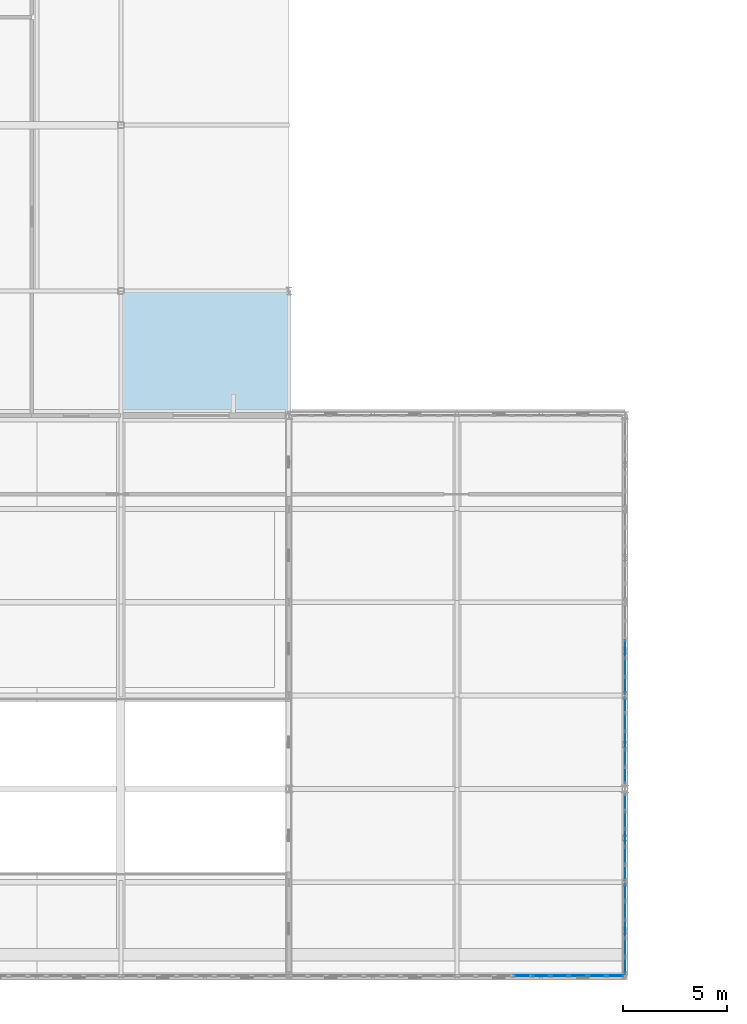
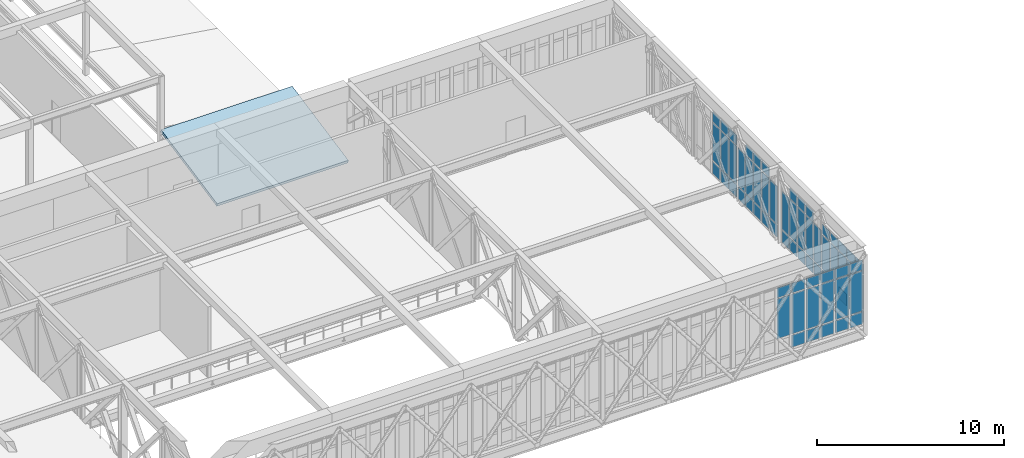
# One storey, part 44 of 70: 67 plates, 1 slab, 5 elements without a shape of their own.
"""IFC4 building model written with IfcOpenShell, lengths in metres."""

from ifc_helpers import new_model, si_unit, direction, frame, origin, origin_2d, place, context, subcontext, project, spatial, polyline, rectangle, outline, extrude, material, layer, layer_set, type_object, element, aggregate, save


model = new_model("IFC4")

# Units and contexts
model_context = context("Model", 3, precision=1e-05, world=origin(), true_north=direction((0.0, 1.0)))
body_context = subcontext(model_context, "Body", "Model", "MODEL_VIEW")
ifc_project = project(units=[si_unit("LENGTHUNIT", "METRE"), si_unit("AREAUNIT", "SQUARE_METRE"), si_unit("VOLUMEUNIT", "CUBIC_METRE"), si_unit("PLANEANGLEUNIT", "RADIAN"), si_unit("MASSUNIT", "GRAM", prefix="KILO")], contexts=[model_context])

# Site, building, storey
site_placement = place(None, origin())
site = spatial("IfcSite", under=ifc_project, at=site_placement, CompositionType="ELEMENT")
building_placement = place(site_placement, origin())
building = spatial("IfcBuilding", under=site, at=building_placement, Name="Tarnveldt Square Police Headquarters", CompositionType="ELEMENT")
storey_placement = place(building_placement, frame((0.0, 0.0, 19.800048828125)))
storey = spatial("IfcBuildingStorey", under=building, at=storey_placement, Name="L04", CompositionType="ELEMENT", Elevation=19.800048828125)

# Curtain wall, plates
ifc_material_1 = material(Name="UL 752 Level III laminated ballistic vision glass", Category="glass")
curtain_wall_type_1 = type_object("IfcCurtainWallType", Name="CW-BL-810x433", PredefinedType="USERDEFINED", material=ifc_material_1)
curtain_wall_1_placement = place(storey_placement, origin())
curtain_wall_1 = element("IfcCurtainWall", 1, at=curtain_wall_1_placement, inside=storey, type_object=curtain_wall_type_1, Name="L04 Curtain Wall CW-L04-046", ObjectType="BALLISTIC CURTAIN WALL", PredefinedType="USERDEFINED")
ifc_layer_1 = layer(ifc_material_1, 0.0380859375)
ifc_layer_set_1 = layer_set([ifc_layer_1], Name="UL 752 Level III laminated ballistic vision glass")
plate_type_1 = type_object("IfcPlateType", Name="CWP-BAL-38", PredefinedType="CURTAIN_PANEL", material=ifc_layer_set_1)
plate_1_placement = place(storey_placement, frame((59.85009765625, 7.0, 0.9375), z_axis=(0.0, 0.0, 1.0), x_axis=(1.0, 0.0, 0.0)))
plate_1 = element("IfcPlate", 2, at=plate_1_placement, type_object=plate_type_1, Name="CW-BL17 panel 4.2", PredefinedType="CURTAIN_PANEL", context=body_context, shape_type="SweptSolid", body=[
    extrude(rectangle(XDim=0.81494140625, YDim=0.0380859375, at=origin_2d()), origin(), (0.0, 0.0, 1.0), 2.6015625),
])
plate_2_placement = place(storey_placement, frame((59.85009765625, 7.0, 3.61376953125), z_axis=(0.0, 0.0, 1.0), x_axis=(1.0, 0.0, 0.0)))
plate_2 = element("IfcPlate", 3, at=plate_2_placement, type_object=plate_type_1, Name="CW-BL17 panel 4.3", PredefinedType="CURTAIN_PANEL", context=body_context, shape_type="SweptSolid", body=[
    extrude(rectangle(XDim=0.81494140625, YDim=0.0380859375, at=origin_2d()), origin(), (0.0, 0.0, 1.0), 0.637451171875),
])
plate_3_placement = place(storey_placement, frame((60.75, 7.0, 0.074951171875), z_axis=(0.0, 0.0, 1.0), x_axis=(1.0, 0.0, 0.0)))
plate_3 = element("IfcPlate", 4, at=plate_3_placement, type_object=plate_type_1, Name="CW-BL17 panel 5.1", PredefinedType="CURTAIN_PANEL", context=body_context, shape_type="SweptSolid", body=[
    extrude(rectangle(XDim=0.81494140625, YDim=0.0380859375, at=origin_2d()), origin(), (0.0, 0.0, 1.0), 0.78759765625),
])
plate_4_placement = place(storey_placement, frame((60.75, 7.0, 0.9375), z_axis=(0.0, 0.0, 1.0), x_axis=(1.0, 0.0, 0.0)))
plate_4 = element("IfcPlate", 5, at=plate_4_placement, type_object=plate_type_1, Name="CW-BL17 panel 5.2", PredefinedType="CURTAIN_PANEL", context=body_context, shape_type="SweptSolid", body=[
    extrude(rectangle(XDim=0.81494140625, YDim=0.0380859375, at=origin_2d()), origin(), (0.0, 0.0, 1.0), 2.6015625),
])
plate_5_placement = place(storey_placement, frame((60.75, 7.0, 3.61376953125), z_axis=(0.0, 0.0, 1.0), x_axis=(1.0, 0.0, 0.0)))
plate_5 = element("IfcPlate", 6, at=plate_5_placement, type_object=plate_type_1, Name="CW-BL17 panel 5.3", PredefinedType="CURTAIN_PANEL", context=body_context, shape_type="SweptSolid", body=[
    extrude(rectangle(XDim=0.81494140625, YDim=0.0380859375, at=origin_2d()), origin(), (0.0, 0.0, 1.0), 0.637451171875),
])
plate_6_placement = place(storey_placement, frame((61.64990234375, 7.0, 0.074951171875), z_axis=(0.0, 0.0, 1.0), x_axis=(1.0, 0.0, 0.0)))
plate_6 = element("IfcPlate", 7, at=plate_6_placement, type_object=plate_type_1, Name="CW-BL17 panel 6.1", PredefinedType="CURTAIN_PANEL", context=body_context, shape_type="SweptSolid", body=[
    extrude(rectangle(XDim=0.81494140625, YDim=0.0380859375, at=origin_2d()), origin(), (0.0, 0.0, 1.0), 0.78759765625),
])
plate_7_placement = place(storey_placement, frame((61.64990234375, 7.0, 0.9375), z_axis=(0.0, 0.0, 1.0), x_axis=(1.0, 0.0, 0.0)))
plate_7 = element("IfcPlate", 8, at=plate_7_placement, type_object=plate_type_1, Name="CW-BL17 panel 6.2", PredefinedType="CURTAIN_PANEL", context=body_context, shape_type="SweptSolid", body=[
    extrude(rectangle(XDim=0.81494140625, YDim=0.0380859375, at=origin_2d()), origin(), (0.0, 0.0, 1.0), 2.6015625),
])
plate_8_placement = place(storey_placement, frame((61.64990234375, 7.0, 3.61376953125), z_axis=(0.0, 0.0, 1.0), x_axis=(1.0, 0.0, 0.0)))
plate_8 = element("IfcPlate", 9, at=plate_8_placement, type_object=plate_type_1, Name="CW-BL17 panel 6.3", PredefinedType="CURTAIN_PANEL", context=body_context, shape_type="SweptSolid", body=[
    extrude(rectangle(XDim=0.81494140625, YDim=0.0380859375, at=origin_2d()), origin(), (0.0, 0.0, 1.0), 0.637451171875),
])
plate_9_placement = place(storey_placement, frame((62.550048828125, 7.0, 0.074951171875), z_axis=(0.0, 0.0, 1.0), x_axis=(1.0, 0.0, 0.0)))
plate_9 = element("IfcPlate", 10, at=plate_9_placement, type_object=plate_type_1, Name="CW-BL17 panel 7.1", PredefinedType="CURTAIN_PANEL", context=body_context, shape_type="SweptSolid", body=[
    extrude(rectangle(XDim=0.81494140625, YDim=0.0380859375, at=origin_2d()), origin(), (0.0, 0.0, 1.0), 0.78759765625),
])
plate_10_placement = place(storey_placement, frame((62.550048828125, 7.0, 0.9375), z_axis=(0.0, 0.0, 1.0), x_axis=(1.0, 0.0, 0.0)))
plate_10 = element("IfcPlate", 11, at=plate_10_placement, type_object=plate_type_1, Name="CW-BL17 panel 7.2", PredefinedType="CURTAIN_PANEL", context=body_context, shape_type="SweptSolid", body=[
    extrude(rectangle(XDim=0.81494140625, YDim=0.0380859375, at=origin_2d()), origin(), (0.0, 0.0, 1.0), 2.6015625),
])
plate_11_placement = place(storey_placement, frame((62.550048828125, 7.0, 3.61376953125), z_axis=(0.0, 0.0, 1.0), x_axis=(1.0, 0.0, 0.0)))
plate_11 = element("IfcPlate", 12, at=plate_11_placement, type_object=plate_type_1, Name="CW-BL17 panel 7.3", PredefinedType="CURTAIN_PANEL", context=body_context, shape_type="SweptSolid", body=[
    extrude(rectangle(XDim=0.81494140625, YDim=0.0380859375, at=origin_2d()), origin(), (0.0, 0.0, 1.0), 0.637451171875),
])
plate_12_placement = place(storey_placement, frame((63.449951171875, 7.0, 0.074951171875), z_axis=(0.0, 0.0, 1.0), x_axis=(1.0, 0.0, 0.0)))
plate_12 = element("IfcPlate", 13, at=plate_12_placement, type_object=plate_type_1, Name="CW-BL17 panel 8.1", PredefinedType="CURTAIN_PANEL", context=body_context, shape_type="SweptSolid", body=[
    extrude(rectangle(XDim=0.81494140625, YDim=0.0380859375, at=origin_2d()), origin(), (0.0, 0.0, 1.0), 0.78759765625),
])
plate_13_placement = place(storey_placement, frame((63.449951171875, 7.0, 0.9375), z_axis=(0.0, 0.0, 1.0), x_axis=(1.0, 0.0, 0.0)))
plate_13 = element("IfcPlate", 14, at=plate_13_placement, type_object=plate_type_1, Name="CW-BL17 panel 8.2", PredefinedType="CURTAIN_PANEL", context=body_context, shape_type="SweptSolid", body=[
    extrude(rectangle(XDim=0.81494140625, YDim=0.0380859375, at=origin_2d()), origin(), (0.0, 0.0, 1.0), 2.6015625),
])
plate_14_placement = place(storey_placement, frame((63.449951171875, 7.0, 3.61376953125), z_axis=(0.0, 0.0, 1.0), x_axis=(1.0, 0.0, 0.0)))
plate_14 = element("IfcPlate", 15, at=plate_14_placement, type_object=plate_type_1, Name="CW-BL17 panel 8.3", PredefinedType="CURTAIN_PANEL", context=body_context, shape_type="SweptSolid", body=[
    extrude(rectangle(XDim=0.81494140625, YDim=0.0380859375, at=origin_2d()), origin(), (0.0, 0.0, 1.0), 0.637451171875),
])
plate_15_placement = place(storey_placement, frame((64.328857421875, 7.0, 0.074951171875), z_axis=(0.0, 0.0, 1.0), x_axis=(1.0, 0.0, 0.0)))
plate_15 = element("IfcPlate", 16, at=plate_15_placement, type_object=plate_type_1, Name="CW-BL17 panel 9.1", PredefinedType="CURTAIN_PANEL", context=body_context, shape_type="SweptSolid", body=[
    extrude(rectangle(XDim=0.7724609375, YDim=0.0380859375, at=origin_2d()), origin(), (0.0, 0.0, 1.0), 0.78759765625),
])
plate_16_placement = place(storey_placement, frame((64.328857421875, 7.0, 0.9375), z_axis=(0.0, 0.0, 1.0), x_axis=(1.0, 0.0, 0.0)))
plate_16 = element("IfcPlate", 17, at=plate_16_placement, type_object=plate_type_1, Name="CW-BL17 panel 9.2", PredefinedType="CURTAIN_PANEL", context=body_context, shape_type="SweptSolid", body=[
    extrude(rectangle(XDim=0.7724609375, YDim=0.0380859375, at=origin_2d()), origin(), (0.0, 0.0, 1.0), 2.6015625),
])
plate_17_placement = place(storey_placement, frame((64.328857421875, 7.0, 3.61376953125), z_axis=(0.0, 0.0, 1.0), x_axis=(1.0, 0.0, 0.0)))
plate_17 = element("IfcPlate", 18, at=plate_17_placement, type_object=plate_type_1, Name="CW-BL17 panel 9.3", PredefinedType="CURTAIN_PANEL", context=body_context, shape_type="SweptSolid", body=[
    extrude(rectangle(XDim=0.7724609375, YDim=0.0380859375, at=origin_2d()), origin(), (0.0, 0.0, 1.0), 0.637451171875),
])
aggregate(curtain_wall_1, [plate_1, plate_2, plate_3, plate_4, plate_5, plate_6, plate_7, plate_8, plate_9, plate_10, plate_11, plate_12, plate_13, plate_14, plate_15, plate_16, plate_17])

ifc_material_2 = material(Name="Triple-glazed low-e laminated vision glass", Category="glass")
curtain_wall_type_2 = type_object("IfcCurtainWallType", Name="CW-LT-450x395", PredefinedType="USERDEFINED", material=ifc_material_2)
curtain_wall_2_placement = place(storey_placement, origin())
curtain_wall_2 = element("IfcCurtainWall", 19, at=curtain_wall_2_placement, inside=storey, type_object=curtain_wall_type_2, Name="L04 Curtain Wall CW-L04-056", ObjectType="GLAZED CURTAIN WALL", PredefinedType="USERDEFINED")
ifc_layer_2 = layer(ifc_material_2, 0.028076171875)
ifc_layer_set_2 = layer_set([ifc_layer_2], Name="Triple-glazed low-e laminated vision glass")
plate_type_2 = type_object("IfcPlateType", Name="CWP-VIS-28", PredefinedType="CURTAIN_PANEL", material=ifc_layer_set_2)
plate_18_placement = place(storey_placement, frame((64.800048828125, 7.46875, 0.074951171875), z_axis=(0.0, 0.0, 1.0), x_axis=(0.0, 1.0, 0.0)))
plate_18 = element("IfcPlate", 20, at=plate_18_placement, type_object=plate_type_2, Name="CW-LT20 panel 1.1", PredefinedType="CURTAIN_PANEL", context=body_context, shape_type="SweptSolid", body=[
    extrude(rectangle(XDim=0.78759765625, YDim=0.028076171875, at=origin_2d()), origin(), (0.0, 0.0, 1.0), 0.78759765625),
])
plate_19_placement = place(storey_placement, frame((64.800048828125, 7.46875, 0.9375), z_axis=(0.0, 0.0, 1.0), x_axis=(0.0, 1.0, 0.0)))
plate_19 = element("IfcPlate", 21, at=plate_19_placement, type_object=plate_type_2, Name="CW-LT20 panel 1.2", PredefinedType="CURTAIN_PANEL", context=body_context, shape_type="SweptSolid", body=[
    extrude(rectangle(XDim=0.78759765625, YDim=0.028076171875, at=origin_2d()), origin(), (0.0, 0.0, 1.0), 2.22705078125),
])
plate_20_placement = place(storey_placement, frame((64.800048828125, 7.46875, 3.2392578125), z_axis=(0.0, 0.0, 1.0), x_axis=(0.0, 1.0, 0.0)))
plate_20 = element("IfcPlate", 22, at=plate_20_placement, type_object=plate_type_2, Name="CW-LT20 panel 1.3", PredefinedType="CURTAIN_PANEL", context=body_context, shape_type="SweptSolid", body=[
    extrude(rectangle(XDim=0.78759765625, YDim=0.028076171875, at=origin_2d()), origin(), (0.0, 0.0, 1.0), 0.637451171875),
])
plate_21_placement = place(storey_placement, frame((64.800048828125, 8.35009765625, 0.074951171875), z_axis=(0.0, 0.0, 1.0), x_axis=(0.0, 1.0, 0.0)))
plate_21 = element("IfcPlate", 23, at=plate_21_placement, type_object=plate_type_2, Name="CW-LT20 panel 2.1", PredefinedType="CURTAIN_PANEL", context=body_context, shape_type="SweptSolid", body=[
    extrude(rectangle(XDim=0.824951171875, YDim=0.028076171875, at=origin_2d()), origin(), (0.0, 0.0, 1.0), 0.78759765625),
])
plate_22_placement = place(storey_placement, frame((64.800048828125, 8.35009765625, 0.9375), z_axis=(0.0, 0.0, 1.0), x_axis=(0.0, 1.0, 0.0)))
plate_22 = element("IfcPlate", 24, at=plate_22_placement, type_object=plate_type_2, Name="CW-LT20 panel 2.2", PredefinedType="CURTAIN_PANEL", context=body_context, shape_type="SweptSolid", body=[
    extrude(rectangle(XDim=0.824951171875, YDim=0.028076171875, at=origin_2d()), origin(), (0.0, 0.0, 1.0), 2.22705078125),
])
plate_23_placement = place(storey_placement, frame((64.800048828125, 8.35009765625, 3.2392578125), z_axis=(0.0, 0.0, 1.0), x_axis=(0.0, 1.0, 0.0)))
plate_23 = element("IfcPlate", 25, at=plate_23_placement, type_object=plate_type_2, Name="CW-LT20 panel 2.3", PredefinedType="CURTAIN_PANEL", context=body_context, shape_type="SweptSolid", body=[
    extrude(rectangle(XDim=0.824951171875, YDim=0.028076171875, at=origin_2d()), origin(), (0.0, 0.0, 1.0), 0.637451171875),
])
plate_24_placement = place(storey_placement, frame((64.800048828125, 9.25, 0.074951171875), z_axis=(0.0, 0.0, 1.0), x_axis=(0.0, 1.0, 0.0)))
plate_24 = element("IfcPlate", 26, at=plate_24_placement, type_object=plate_type_2, Name="CW-LT20 panel 3.1", PredefinedType="CURTAIN_PANEL", context=body_context, shape_type="SweptSolid", body=[
    extrude(rectangle(XDim=0.824951171875, YDim=0.028076171875, at=origin_2d()), origin(), (0.0, 0.0, 1.0), 0.78759765625),
])
plate_25_placement = place(storey_placement, frame((64.800048828125, 9.25, 0.9375), z_axis=(0.0, 0.0, 1.0), x_axis=(0.0, 1.0, 0.0)))
plate_25 = element("IfcPlate", 27, at=plate_25_placement, type_object=plate_type_2, Name="CW-LT20 panel 3.2", PredefinedType="CURTAIN_PANEL", context=body_context, shape_type="SweptSolid", body=[
    extrude(rectangle(XDim=0.824951171875, YDim=0.028076171875, at=origin_2d()), origin(), (0.0, 0.0, 1.0), 2.22705078125),
])
plate_26_placement = place(storey_placement, frame((64.800048828125, 9.25, 3.2392578125), z_axis=(0.0, 0.0, 1.0), x_axis=(0.0, 1.0, 0.0)))
plate_26 = element("IfcPlate", 28, at=plate_26_placement, type_object=plate_type_2, Name="CW-LT20 panel 3.3", PredefinedType="CURTAIN_PANEL", context=body_context, shape_type="SweptSolid", body=[
    extrude(rectangle(XDim=0.824951171875, YDim=0.028076171875, at=origin_2d()), origin(), (0.0, 0.0, 1.0), 0.637451171875),
])
plate_27_placement = place(storey_placement, frame((64.800048828125, 10.14990234375, 0.074951171875), z_axis=(0.0, 0.0, 1.0), x_axis=(0.0, 1.0, 0.0)))
plate_27 = element("IfcPlate", 29, at=plate_27_placement, type_object=plate_type_2, Name="CW-LT20 panel 4.1", PredefinedType="CURTAIN_PANEL", context=body_context, shape_type="SweptSolid", body=[
    extrude(rectangle(XDim=0.824951171875, YDim=0.028076171875, at=origin_2d()), origin(), (0.0, 0.0, 1.0), 0.78759765625),
])
plate_28_placement = place(storey_placement, frame((64.800048828125, 10.14990234375, 0.9375), z_axis=(0.0, 0.0, 1.0), x_axis=(0.0, 1.0, 0.0)))
plate_28 = element("IfcPlate", 30, at=plate_28_placement, type_object=plate_type_2, Name="CW-LT20 panel 4.2", PredefinedType="CURTAIN_PANEL", context=body_context, shape_type="SweptSolid", body=[
    extrude(rectangle(XDim=0.824951171875, YDim=0.028076171875, at=origin_2d()), origin(), (0.0, 0.0, 1.0), 2.22705078125),
])
plate_29_placement = place(storey_placement, frame((64.800048828125, 10.14990234375, 3.2392578125), z_axis=(0.0, 0.0, 1.0), x_axis=(0.0, 1.0, 0.0)))
plate_29 = element("IfcPlate", 31, at=plate_29_placement, type_object=plate_type_2, Name="CW-LT20 panel 4.3", PredefinedType="CURTAIN_PANEL", context=body_context, shape_type="SweptSolid", body=[
    extrude(rectangle(XDim=0.824951171875, YDim=0.028076171875, at=origin_2d()), origin(), (0.0, 0.0, 1.0), 0.637451171875),
])
plate_30_placement = place(storey_placement, frame((64.800048828125, 11.03125, 0.074951171875), z_axis=(0.0, 0.0, 1.0), x_axis=(0.0, 1.0, 0.0)))
plate_30 = element("IfcPlate", 32, at=plate_30_placement, type_object=plate_type_2, Name="CW-LT20 panel 5.1", PredefinedType="CURTAIN_PANEL", context=body_context, shape_type="SweptSolid", body=[
    extrude(rectangle(XDim=0.78759765625, YDim=0.028076171875, at=origin_2d()), origin(), (0.0, 0.0, 1.0), 0.78759765625),
])
plate_31_placement = place(storey_placement, frame((64.800048828125, 11.03125, 0.9375), z_axis=(0.0, 0.0, 1.0), x_axis=(0.0, 1.0, 0.0)))
plate_31 = element("IfcPlate", 33, at=plate_31_placement, type_object=plate_type_2, Name="CW-LT20 panel 5.2", PredefinedType="CURTAIN_PANEL", context=body_context, shape_type="SweptSolid", body=[
    extrude(rectangle(XDim=0.78759765625, YDim=0.028076171875, at=origin_2d()), origin(), (0.0, 0.0, 1.0), 2.22705078125),
])
plate_32_placement = place(storey_placement, frame((64.800048828125, 11.03125, 3.2392578125), z_axis=(0.0, 0.0, 1.0), x_axis=(0.0, 1.0, 0.0)))
plate_32 = element("IfcPlate", 34, at=plate_32_placement, type_object=plate_type_2, Name="CW-LT20 panel 5.3", PredefinedType="CURTAIN_PANEL", context=body_context, shape_type="SweptSolid", body=[
    extrude(rectangle(XDim=0.78759765625, YDim=0.028076171875, at=origin_2d()), origin(), (0.0, 0.0, 1.0), 0.637451171875),
])
aggregate(curtain_wall_2, [plate_18, plate_19, plate_20, plate_21, plate_22, plate_23, plate_24, plate_25, plate_26, plate_27, plate_28, plate_29, plate_30, plate_31, plate_32])

curtain_wall_type_3 = type_object("IfcCurtainWallType", Name="CW-LT-430x417", PredefinedType="USERDEFINED", material=ifc_material_2)
curtain_wall_3_placement = place(storey_placement, origin())
curtain_wall_3 = element("IfcCurtainWall", 35, at=curtain_wall_3_placement, inside=storey, type_object=curtain_wall_type_3, Name="L04 Curtain Wall CW-L04-057", ObjectType="GLAZED CURTAIN WALL", PredefinedType="USERDEFINED")
plate_33_placement = place(storey_placement, frame((64.800048828125, 11.948486328125, 0.074951171875), z_axis=(0.0, 0.0, 1.0), x_axis=(0.0, 1.0, 0.0)))
plate_33 = element("IfcPlate", 36, at=plate_33_placement, type_object=plate_type_2, Name="CW-LT21 panel 1.1", PredefinedType="CURTAIN_PANEL", context=body_context, shape_type="SweptSolid", body=[
    extrude(rectangle(XDim=0.7470703125, YDim=0.028076171875, at=origin_2d()), origin(), (0.0, 0.0, 1.0), 0.78759765625),
])
plate_34_placement = place(storey_placement, frame((64.800048828125, 11.948486328125, 0.9375), z_axis=(0.0, 0.0, 1.0), x_axis=(0.0, 1.0, 0.0)))
plate_34 = element("IfcPlate", 37, at=plate_34_placement, type_object=plate_type_2, Name="CW-LT21 panel 1.2", PredefinedType="CURTAIN_PANEL", context=body_context, shape_type="SweptSolid", body=[
    extrude(rectangle(XDim=0.7470703125, YDim=0.028076171875, at=origin_2d()), origin(), (0.0, 0.0, 1.0), 2.447998046875),
])
plate_35_placement = place(storey_placement, frame((64.800048828125, 12.789306640625, 0.074951171875), z_axis=(0.0, 0.0, 1.0), x_axis=(0.0, 1.0, 0.0)))
plate_35 = element("IfcPlate", 38, at=plate_35_placement, type_object=plate_type_2, Name="CW-LT21 panel 2.1", PredefinedType="CURTAIN_PANEL", context=body_context, shape_type="SweptSolid", body=[
    extrude(rectangle(XDim=0.78466796875, YDim=0.028076171875, at=origin_2d()), origin(), (0.0, 0.0, 1.0), 0.78759765625),
])
plate_36_placement = place(storey_placement, frame((64.800048828125, 12.789306640625, 0.9375), z_axis=(0.0, 0.0, 1.0), x_axis=(0.0, 1.0, 0.0)))
plate_36 = element("IfcPlate", 39, at=plate_36_placement, type_object=plate_type_2, Name="CW-LT21 panel 2.2", PredefinedType="CURTAIN_PANEL", context=body_context, shape_type="SweptSolid", body=[
    extrude(rectangle(XDim=0.78466796875, YDim=0.028076171875, at=origin_2d()), origin(), (0.0, 0.0, 1.0), 2.447998046875),
])
plate_37_placement = place(storey_placement, frame((64.800048828125, 12.789306640625, 3.46044921875), z_axis=(0.0, 0.0, 1.0), x_axis=(0.0, 1.0, 0.0)))
plate_37 = element("IfcPlate", 40, at=plate_37_placement, type_object=plate_type_2, Name="CW-LT21 panel 2.3", PredefinedType="CURTAIN_PANEL", context=body_context, shape_type="SweptSolid", body=[
    extrude(rectangle(XDim=0.78466796875, YDim=0.028076171875, at=origin_2d()), origin(), (0.0, 0.0, 1.0), 0.637451171875),
])
plate_38_placement = place(storey_placement, frame((64.800048828125, 13.64892578125, 0.074951171875), z_axis=(0.0, 0.0, 1.0), x_axis=(0.0, 1.0, 0.0)))
plate_38 = element("IfcPlate", 41, at=plate_38_placement, type_object=plate_type_2, Name="CW-LT21 panel 3.1", PredefinedType="CURTAIN_PANEL", context=body_context, shape_type="SweptSolid", body=[
    extrude(rectangle(XDim=0.78466796875, YDim=0.028076171875, at=origin_2d()), origin(), (0.0, 0.0, 1.0), 0.78759765625),
])
plate_39_placement = place(storey_placement, frame((64.800048828125, 13.64892578125, 0.9375), z_axis=(0.0, 0.0, 1.0), x_axis=(0.0, 1.0, 0.0)))
plate_39 = element("IfcPlate", 42, at=plate_39_placement, type_object=plate_type_2, Name="CW-LT21 panel 3.2", PredefinedType="CURTAIN_PANEL", context=body_context, shape_type="SweptSolid", body=[
    extrude(rectangle(XDim=0.78466796875, YDim=0.028076171875, at=origin_2d()), origin(), (0.0, 0.0, 1.0), 2.447998046875),
])
plate_40_placement = place(storey_placement, frame((64.800048828125, 13.64892578125, 3.46044921875), z_axis=(0.0, 0.0, 1.0), x_axis=(0.0, 1.0, 0.0)))
plate_40 = element("IfcPlate", 43, at=plate_40_placement, type_object=plate_type_2, Name="CW-LT21 panel 3.3", PredefinedType="CURTAIN_PANEL", context=body_context, shape_type="SweptSolid", body=[
    extrude(rectangle(XDim=0.78466796875, YDim=0.028076171875, at=origin_2d()), origin(), (0.0, 0.0, 1.0), 0.637451171875),
])
plate_41_placement = place(storey_placement, frame((64.800048828125, 14.508544921875, 0.074951171875), z_axis=(0.0, 0.0, 1.0), x_axis=(0.0, 1.0, 0.0)))
plate_41 = element("IfcPlate", 44, at=plate_41_placement, type_object=plate_type_2, Name="CW-LT21 panel 4.1", PredefinedType="CURTAIN_PANEL", context=body_context, shape_type="SweptSolid", body=[
    extrude(rectangle(XDim=0.78466796875, YDim=0.028076171875, at=origin_2d()), origin(), (0.0, 0.0, 1.0), 0.78759765625),
])
plate_42_placement = place(storey_placement, frame((64.800048828125, 14.508544921875, 0.9375), z_axis=(0.0, 0.0, 1.0), x_axis=(0.0, 1.0, 0.0)))
plate_42 = element("IfcPlate", 45, at=plate_42_placement, type_object=plate_type_2, Name="CW-LT21 panel 4.2", PredefinedType="CURTAIN_PANEL", context=body_context, shape_type="SweptSolid", body=[
    extrude(rectangle(XDim=0.78466796875, YDim=0.028076171875, at=origin_2d()), origin(), (0.0, 0.0, 1.0), 2.447998046875),
])
plate_43_placement = place(storey_placement, frame((64.800048828125, 14.508544921875, 3.46044921875), z_axis=(0.0, 0.0, 1.0), x_axis=(0.0, 1.0, 0.0)))
plate_43 = element("IfcPlate", 46, at=plate_43_placement, type_object=plate_type_2, Name="CW-LT21 panel 4.3", PredefinedType="CURTAIN_PANEL", context=body_context, shape_type="SweptSolid", body=[
    extrude(rectangle(XDim=0.78466796875, YDim=0.028076171875, at=origin_2d()), origin(), (0.0, 0.0, 1.0), 0.637451171875),
])
plate_44_placement = place(storey_placement, frame((64.800048828125, 15.349365234375, 0.074951171875), z_axis=(0.0, 0.0, 1.0), x_axis=(0.0, 1.0, 0.0)))
plate_44 = element("IfcPlate", 47, at=plate_44_placement, type_object=plate_type_2, Name="CW-LT21 panel 5.1", PredefinedType="CURTAIN_PANEL", context=body_context, shape_type="SweptSolid", body=[
    extrude(rectangle(XDim=0.7470703125, YDim=0.028076171875, at=origin_2d()), origin(), (0.0, 0.0, 1.0), 0.78759765625),
])
plate_45_placement = place(storey_placement, frame((64.800048828125, 15.349365234375, 0.9375), z_axis=(0.0, 0.0, 1.0), x_axis=(0.0, 1.0, 0.0)))
plate_45 = element("IfcPlate", 48, at=plate_45_placement, type_object=plate_type_2, Name="CW-LT21 panel 5.2", PredefinedType="CURTAIN_PANEL", context=body_context, shape_type="SweptSolid", body=[
    extrude(rectangle(XDim=0.7470703125, YDim=0.028076171875, at=origin_2d()), origin(), (0.0, 0.0, 1.0), 2.447998046875),
])
aggregate(curtain_wall_3, [plate_33, plate_34, plate_35, plate_36, plate_37, plate_38, plate_39, plate_40, plate_41, plate_42, plate_43, plate_44, plate_45])

curtain_wall_4_placement = place(storey_placement, origin())
curtain_wall_4 = element("IfcCurtainWall", 49, at=curtain_wall_4_placement, inside=storey, type_object=curtain_wall_type_3, Name="L04 Curtain Wall CW-L04-058", ObjectType="GLAZED CURTAIN WALL", PredefinedType="USERDEFINED")
plate_46_placement = place(storey_placement, frame((64.800048828125, 16.650634765625, 0.074951171875), z_axis=(0.0, 0.0, 1.0), x_axis=(0.0, 1.0, 0.0)))
plate_46 = element("IfcPlate", 50, at=plate_46_placement, type_object=plate_type_2, Name="CW-LT21 panel 1.1", PredefinedType="CURTAIN_PANEL", context=body_context, shape_type="SweptSolid", body=[
    extrude(rectangle(XDim=0.7470703125, YDim=0.028076171875, at=origin_2d()), origin(), (0.0, 0.0, 1.0), 0.78759765625),
])
plate_47_placement = place(storey_placement, frame((64.800048828125, 16.650634765625, 0.9375), z_axis=(0.0, 0.0, 1.0), x_axis=(0.0, 1.0, 0.0)))
plate_47 = element("IfcPlate", 51, at=plate_47_placement, type_object=plate_type_2, Name="CW-LT21 panel 1.2", PredefinedType="CURTAIN_PANEL", context=body_context, shape_type="SweptSolid", body=[
    extrude(rectangle(XDim=0.7470703125, YDim=0.028076171875, at=origin_2d()), origin(), (0.0, 0.0, 1.0), 2.447998046875),
])
plate_48_placement = place(storey_placement, frame((64.800048828125, 17.491455078125, 0.074951171875), z_axis=(0.0, 0.0, 1.0), x_axis=(0.0, 1.0, 0.0)))
plate_48 = element("IfcPlate", 52, at=plate_48_placement, type_object=plate_type_2, Name="CW-LT21 panel 2.1", PredefinedType="CURTAIN_PANEL", context=body_context, shape_type="SweptSolid", body=[
    extrude(rectangle(XDim=0.78466796875, YDim=0.028076171875, at=origin_2d()), origin(), (0.0, 0.0, 1.0), 0.78759765625),
])
plate_49_placement = place(storey_placement, frame((64.800048828125, 17.491455078125, 0.9375), z_axis=(0.0, 0.0, 1.0), x_axis=(0.0, 1.0, 0.0)))
plate_49 = element("IfcPlate", 53, at=plate_49_placement, type_object=plate_type_2, Name="CW-LT21 panel 2.2", PredefinedType="CURTAIN_PANEL", context=body_context, shape_type="SweptSolid", body=[
    extrude(rectangle(XDim=0.78466796875, YDim=0.028076171875, at=origin_2d()), origin(), (0.0, 0.0, 1.0), 2.447998046875),
])
plate_50_placement = place(storey_placement, frame((64.800048828125, 17.491455078125, 3.46044921875), z_axis=(0.0, 0.0, 1.0), x_axis=(0.0, 1.0, 0.0)))
plate_50 = element("IfcPlate", 54, at=plate_50_placement, type_object=plate_type_2, Name="CW-LT21 panel 2.3", PredefinedType="CURTAIN_PANEL", context=body_context, shape_type="SweptSolid", body=[
    extrude(rectangle(XDim=0.78466796875, YDim=0.028076171875, at=origin_2d()), origin(), (0.0, 0.0, 1.0), 0.637451171875),
])
plate_51_placement = place(storey_placement, frame((64.800048828125, 18.35107421875, 0.074951171875), z_axis=(0.0, 0.0, 1.0), x_axis=(0.0, 1.0, 0.0)))
plate_51 = element("IfcPlate", 55, at=plate_51_placement, type_object=plate_type_2, Name="CW-LT21 panel 3.1", PredefinedType="CURTAIN_PANEL", context=body_context, shape_type="SweptSolid", body=[
    extrude(rectangle(XDim=0.78466796875, YDim=0.028076171875, at=origin_2d()), origin(), (0.0, 0.0, 1.0), 0.78759765625),
])
plate_52_placement = place(storey_placement, frame((64.800048828125, 18.35107421875, 0.9375), z_axis=(0.0, 0.0, 1.0), x_axis=(0.0, 1.0, 0.0)))
plate_52 = element("IfcPlate", 56, at=plate_52_placement, type_object=plate_type_2, Name="CW-LT21 panel 3.2", PredefinedType="CURTAIN_PANEL", context=body_context, shape_type="SweptSolid", body=[
    extrude(rectangle(XDim=0.78466796875, YDim=0.028076171875, at=origin_2d()), origin(), (0.0, 0.0, 1.0), 2.447998046875),
])
plate_53_placement = place(storey_placement, frame((64.800048828125, 18.35107421875, 3.46044921875), z_axis=(0.0, 0.0, 1.0), x_axis=(0.0, 1.0, 0.0)))
plate_53 = element("IfcPlate", 57, at=plate_53_placement, type_object=plate_type_2, Name="CW-LT21 panel 3.3", PredefinedType="CURTAIN_PANEL", context=body_context, shape_type="SweptSolid", body=[
    extrude(rectangle(XDim=0.78466796875, YDim=0.028076171875, at=origin_2d()), origin(), (0.0, 0.0, 1.0), 0.637451171875),
])
plate_54_placement = place(storey_placement, frame((64.800048828125, 19.210693359375, 0.074951171875), z_axis=(0.0, 0.0, 1.0), x_axis=(0.0, 1.0, 0.0)))
plate_54 = element("IfcPlate", 58, at=plate_54_placement, type_object=plate_type_2, Name="CW-LT21 panel 4.1", PredefinedType="CURTAIN_PANEL", context=body_context, shape_type="SweptSolid", body=[
    extrude(rectangle(XDim=0.78466796875, YDim=0.028076171875, at=origin_2d()), origin(), (0.0, 0.0, 1.0), 0.78759765625),
])
plate_55_placement = place(storey_placement, frame((64.800048828125, 19.210693359375, 0.9375), z_axis=(0.0, 0.0, 1.0), x_axis=(0.0, 1.0, 0.0)))
plate_55 = element("IfcPlate", 59, at=plate_55_placement, type_object=plate_type_2, Name="CW-LT21 panel 4.2", PredefinedType="CURTAIN_PANEL", context=body_context, shape_type="SweptSolid", body=[
    extrude(rectangle(XDim=0.78466796875, YDim=0.028076171875, at=origin_2d()), origin(), (0.0, 0.0, 1.0), 2.447998046875),
])
plate_56_placement = place(storey_placement, frame((64.800048828125, 19.210693359375, 3.46044921875), z_axis=(0.0, 0.0, 1.0), x_axis=(0.0, 1.0, 0.0)))
plate_56 = element("IfcPlate", 60, at=plate_56_placement, type_object=plate_type_2, Name="CW-LT21 panel 4.3", PredefinedType="CURTAIN_PANEL", context=body_context, shape_type="SweptSolid", body=[
    extrude(rectangle(XDim=0.78466796875, YDim=0.028076171875, at=origin_2d()), origin(), (0.0, 0.0, 1.0), 0.637451171875),
])
plate_57_placement = place(storey_placement, frame((64.800048828125, 20.051513671875, 0.074951171875), z_axis=(0.0, 0.0, 1.0), x_axis=(0.0, 1.0, 0.0)))
plate_57 = element("IfcPlate", 61, at=plate_57_placement, type_object=plate_type_2, Name="CW-LT21 panel 5.1", PredefinedType="CURTAIN_PANEL", context=body_context, shape_type="SweptSolid", body=[
    extrude(rectangle(XDim=0.7470703125, YDim=0.028076171875, at=origin_2d()), origin(), (0.0, 0.0, 1.0), 0.78759765625),
])
plate_58_placement = place(storey_placement, frame((64.800048828125, 20.051513671875, 0.9375), z_axis=(0.0, 0.0, 1.0), x_axis=(0.0, 1.0, 0.0)))
plate_58 = element("IfcPlate", 62, at=plate_58_placement, type_object=plate_type_2, Name="CW-LT21 panel 5.2", PredefinedType="CURTAIN_PANEL", context=body_context, shape_type="SweptSolid", body=[
    extrude(rectangle(XDim=0.7470703125, YDim=0.028076171875, at=origin_2d()), origin(), (0.0, 0.0, 1.0), 2.447998046875),
])
aggregate(curtain_wall_4, [plate_46, plate_47, plate_48, plate_49, plate_50, plate_51, plate_52, plate_53, plate_54, plate_55, plate_56, plate_57, plate_58])

curtain_wall_type_4 = type_object("IfcCurtainWallType", Name="CW-LT-450x417", PredefinedType="USERDEFINED", material=ifc_material_2)
curtain_wall_5_placement = place(storey_placement, origin())
curtain_wall_5 = element("IfcCurtainWall", 63, at=curtain_wall_5_placement, inside=storey, type_object=curtain_wall_type_4, Name="L04 Curtain Wall CW-L04-059", ObjectType="GLAZED CURTAIN WALL", PredefinedType="USERDEFINED")
plate_59_placement = place(storey_placement, frame((64.800048828125, 20.96875, 0.074951171875), z_axis=(0.0, 0.0, 1.0), x_axis=(0.0, 1.0, 0.0)))
plate_59 = element("IfcPlate", 64, at=plate_59_placement, type_object=plate_type_2, Name="CW-LT22 panel 1.1", PredefinedType="CURTAIN_PANEL", context=body_context, shape_type="SweptSolid", body=[
    extrude(rectangle(XDim=0.78759765625, YDim=0.028076171875, at=origin_2d()), origin(), (0.0, 0.0, 1.0), 0.78759765625),
])
plate_60_placement = place(storey_placement, frame((64.800048828125, 20.96875, 0.9375), z_axis=(0.0, 0.0, 1.0), x_axis=(0.0, 1.0, 0.0)))
plate_60 = element("IfcPlate", 65, at=plate_60_placement, type_object=plate_type_2, Name="CW-LT22 panel 1.2", PredefinedType="CURTAIN_PANEL", context=body_context, shape_type="SweptSolid", body=[
    extrude(rectangle(XDim=0.78759765625, YDim=0.028076171875, at=origin_2d()), origin(), (0.0, 0.0, 1.0), 2.447998046875),
])
plate_61_placement = place(storey_placement, frame((64.800048828125, 20.96875, 3.46044921875), z_axis=(0.0, 0.0, 1.0), x_axis=(0.0, 1.0, 0.0)))
plate_61 = element("IfcPlate", 66, at=plate_61_placement, type_object=plate_type_2, Name="CW-LT22 panel 1.3", PredefinedType="CURTAIN_PANEL", context=body_context, shape_type="SweptSolid", body=[
    extrude(rectangle(XDim=0.78759765625, YDim=0.028076171875, at=origin_2d()), origin(), (0.0, 0.0, 1.0), 0.637451171875),
])
plate_62_placement = place(storey_placement, frame((64.800048828125, 21.85009765625, 0.074951171875), z_axis=(0.0, 0.0, 1.0), x_axis=(0.0, 1.0, 0.0)))
plate_62 = element("IfcPlate", 67, at=plate_62_placement, type_object=plate_type_2, Name="CW-LT22 panel 2.1", PredefinedType="CURTAIN_PANEL", context=body_context, shape_type="SweptSolid", body=[
    extrude(rectangle(XDim=0.824951171875, YDim=0.028076171875, at=origin_2d()), origin(), (0.0, 0.0, 1.0), 0.78759765625),
])
plate_63_placement = place(storey_placement, frame((64.800048828125, 21.85009765625, 0.9375), z_axis=(0.0, 0.0, 1.0), x_axis=(0.0, 1.0, 0.0)))
plate_63 = element("IfcPlate", 68, at=plate_63_placement, type_object=plate_type_2, Name="CW-LT22 panel 2.2", PredefinedType="CURTAIN_PANEL", context=body_context, shape_type="SweptSolid", body=[
    extrude(rectangle(XDim=0.824951171875, YDim=0.028076171875, at=origin_2d()), origin(), (0.0, 0.0, 1.0), 2.447998046875),
])
plate_64_placement = place(storey_placement, frame((64.800048828125, 21.85009765625, 3.46044921875), z_axis=(0.0, 0.0, 1.0), x_axis=(0.0, 1.0, 0.0)))
plate_64 = element("IfcPlate", 69, at=plate_64_placement, type_object=plate_type_2, Name="CW-LT22 panel 2.3", PredefinedType="CURTAIN_PANEL", context=body_context, shape_type="SweptSolid", body=[
    extrude(rectangle(XDim=0.824951171875, YDim=0.028076171875, at=origin_2d()), origin(), (0.0, 0.0, 1.0), 0.637451171875),
])
plate_65_placement = place(storey_placement, frame((64.800048828125, 22.75, 0.074951171875), z_axis=(0.0, 0.0, 1.0), x_axis=(0.0, 1.0, 0.0)))
plate_65 = element("IfcPlate", 70, at=plate_65_placement, type_object=plate_type_2, Name="CW-LT22 panel 3.1", PredefinedType="CURTAIN_PANEL", context=body_context, shape_type="SweptSolid", body=[
    extrude(rectangle(XDim=0.824951171875, YDim=0.028076171875, at=origin_2d()), origin(), (0.0, 0.0, 1.0), 0.78759765625),
])
plate_66_placement = place(storey_placement, frame((64.800048828125, 22.75, 0.9375), z_axis=(0.0, 0.0, 1.0), x_axis=(0.0, 1.0, 0.0)))
plate_66 = element("IfcPlate", 71, at=plate_66_placement, type_object=plate_type_2, Name="CW-LT22 panel 3.2", PredefinedType="CURTAIN_PANEL", context=body_context, shape_type="SweptSolid", body=[
    extrude(rectangle(XDim=0.824951171875, YDim=0.028076171875, at=origin_2d()), origin(), (0.0, 0.0, 1.0), 2.447998046875),
])
plate_67_placement = place(storey_placement, frame((64.800048828125, 22.75, 3.46044921875), z_axis=(0.0, 0.0, 1.0), x_axis=(0.0, 1.0, 0.0)))
plate_67 = element("IfcPlate", 72, at=plate_67_placement, type_object=plate_type_2, Name="CW-LT22 panel 3.3", PredefinedType="CURTAIN_PANEL", context=body_context, shape_type="SweptSolid", body=[
    extrude(rectangle(XDim=0.824951171875, YDim=0.028076171875, at=origin_2d()), origin(), (0.0, 0.0, 1.0), 0.637451171875),
])
aggregate(curtain_wall_5, [plate_59, plate_60, plate_61, plate_62, plate_63, plate_64, plate_65, plate_66, plate_67])

# Slab
ifc_material_3 = material(Name="Precast concrete 35 MPa", Category="concrete")
ifc_layer_3 = layer(ifc_material_3, 0.18994140625)
ifc_layer_set_3 = layer_set([ifc_layer_3], Name="Precast concrete 35 MPa")
slab_type = type_object("IfcSlabType", Name="SL-PITCH-190", PredefinedType="ROOF", material=ifc_layer_set_3)
slab_placement = place(storey_placement, frame((40.5, 34.0, 0.0), z_axis=(0.0, -0.196108462057, 0.980582210276), x_axis=(1.0, 0.0, 0.0)))
element("IfcSlab", 73, at=slab_placement, inside=storey, type_object=slab_type, Name="Winter-Garden South Vestibule Roof", PredefinedType="ROOF", context=body_context, shape_type="SweptSolid", body=[
    extrude(outline(polyline([(0.0, 0.0), (8.10009765625, 0.0), (8.10009765625, 6.118813840515511), (0.0, 6.118813840515511), (0.0, 0.0)])), origin(), (0.0, 0.0, -1.0), 0.18994140625),
])

save(model, "model.ifc")
